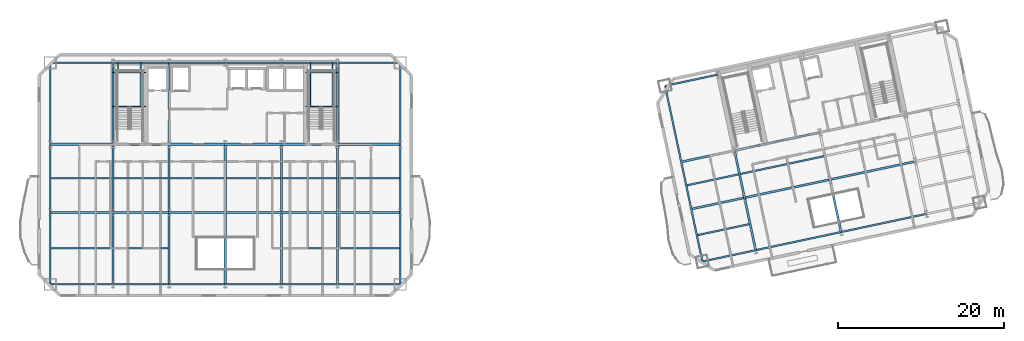
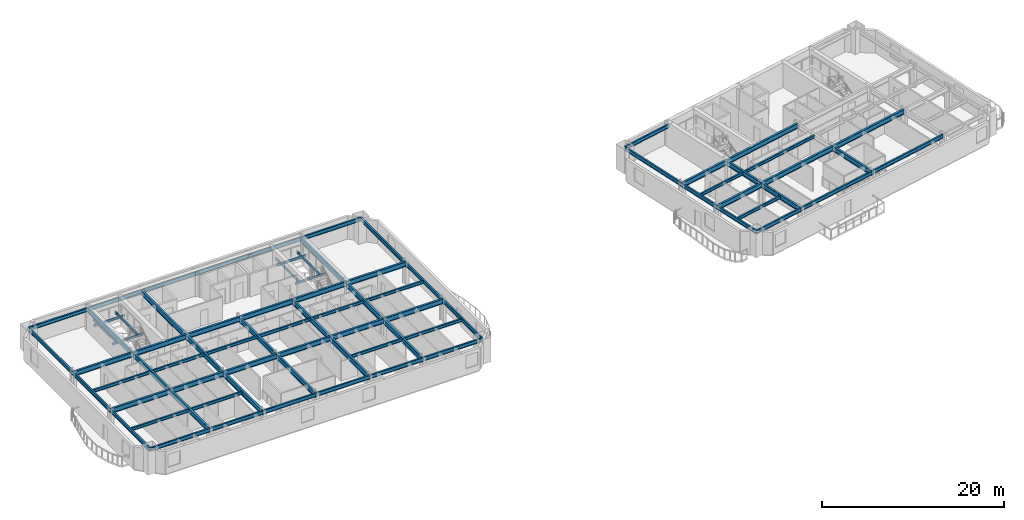
# One storey, part 3 of 14: 79 beams.
"""IFC4 building model written with IfcOpenShell, lengths in metres."""

from ifc_helpers import new_model, si_unit, direction, frame, origin, origin_2d, place, context, subcontext, project, spatial, i_section, extrude, material, material_profile, profile_set, type_object, element, save


model = new_model("IFC4")

# Units and contexts
model_context = context("Model", 3, precision=1e-05, world=origin(), true_north=direction((0.0, 1.0)))
body_context = subcontext(model_context, "Body", "Model", "MODEL_VIEW")
ifc_project = project(units=[si_unit("LENGTHUNIT", "METRE"), si_unit("AREAUNIT", "SQUARE_METRE"), si_unit("VOLUMEUNIT", "CUBIC_METRE"), si_unit("PLANEANGLEUNIT", "RADIAN"), si_unit("MASSUNIT", "GRAM", prefix="KILO")], contexts=[model_context])

# Site, building, storey
site_placement = place(None, origin())
site = spatial("IfcSite", under=ifc_project, at=site_placement, CompositionType="ELEMENT")
building_placement = place(site_placement, origin())
building = spatial("IfcBuilding", under=site, at=building_placement, Name="Haevon Station Towers", CompositionType="ELEMENT")
storey_placement = place(building_placement, frame((0.0, 0.0, 116.39990234375)))
storey = spatial("IfcBuildingStorey", under=building, at=storey_placement, Name="L31", CompositionType="ELEMENT", Elevation=116.39990234375)

# Beams
ifc_material = material(Name="Steel S355", Category="steel")
ifc_material_profile_1 = material_profile(ifc_material, i_section(OverallWidth=0.25, OverallDepth=0.64990234375, WebThickness=0.012939453125, FlangeThickness=0.02197265625, at=origin_2d()), Name="H-650x250x13x22")
ifc_profile_set_1 = profile_set([ifc_material_profile_1], Name="Steel S355")
beam_type_1 = type_object("IfcBeamType", Name="BM-G650", PredefinedType="BEAM", material=ifc_profile_set_1)
beam_1_placement = place(storey_placement, frame((16.449951171875, 30.0, 2.72509765625), z_axis=(1.0, 0.0, 0.0), x_axis=(0.0, 1.0, 0.0)))
element("IfcBeam", 1, at=beam_1_placement, inside=storey, type_object=beam_type_1, Name="BM-T1U-L31-02-01", PredefinedType="BEAM", context=body_context, shape_type="SweptSolid", body=[
    extrude(i_section(OverallWidth=0.25, OverallDepth=0.64990234375, WebThickness=0.012939453125, FlangeThickness=0.02197265625, at=origin_2d()), origin(), (0.0, 0.0, 1.0), 7.550048828125),
])
for number, where, z_axis, x_axis, name in (
    (2, (24.0, 30.0, 2.72509765625), (1.0, 0.0, 0.0), (0.0, 1.0, 0.0), "BM-T1U-L31-02-02"),
    (3, (30.75, 30.0, 2.72509765625), (1.0, 0.0, 0.0), (0.0, 1.0, 0.0), "BM-T1U-L31-02-03"),
    (4, (37.5, 30.0, 2.72509765625), (1.0, 0.0, 0.0), (0.0, 1.0, 0.0), "BM-T1U-L31-02-04"),
    (5, (44.25, 30.0, 2.72509765625), (1.0, 0.0, 0.0), (0.0, 1.0, 0.0), "BM-T1U-L31-02-05"),
):
    element("IfcBeam", number, at=place(storey_placement, frame(where, z_axis=z_axis, x_axis=x_axis)), inside=storey, type_object=beam_type_1, Name=name, PredefinedType="BEAM", context=body_context, shape_type="SweptSolid", body=[
        extrude(i_section(OverallWidth=0.25, OverallDepth=0.64990234375, WebThickness=0.012939453125, FlangeThickness=0.02197265625, at=origin_2d()), origin(), (0.0, 0.0, 1.0), 6.75),
    ])
for number, where, z_axis, x_axis, name in (
    (6, (51.0, 30.0, 2.72509765625), (1.0, 0.0, 0.0), (0.0, 1.0, 0.0), "BM-T1U-L31-02-06"),
    (7, (16.449951171875, 38.199951171875, 2.72509765625), (1.0, 0.0, 0.0), (0.0, 1.0, 0.0), "BM-T1U-L31-03-01"),
):
    element("IfcBeam", number, at=place(storey_placement, frame(where, z_axis=z_axis, x_axis=x_axis)), inside=storey, type_object=beam_type_1, Name=name, PredefinedType="BEAM", context=body_context, shape_type="SweptSolid", body=[
        extrude(i_section(OverallWidth=0.25, OverallDepth=0.64990234375, WebThickness=0.012939453125, FlangeThickness=0.02197265625, at=origin_2d()), origin(), (0.0, 0.0, 1.0), 7.550048828125),
    ])
for number, where, z_axis, x_axis, name in (
    (8, (24.0, 38.199951171875, 2.72509765625), (1.0, 0.0, 0.0), (0.0, 1.0, 0.0), "BM-T1U-L31-03-02"),
    (9, (30.75, 38.199951171875, 2.72509765625), (1.0, 0.0, 0.0), (0.0, 1.0, 0.0), "BM-T1U-L31-03-03"),
    (10, (37.5, 38.199951171875, 2.72509765625), (1.0, 0.0, 0.0), (0.0, 1.0, 0.0), "BM-T1U-L31-03-04"),
    (11, (44.25, 38.199951171875, 2.72509765625), (1.0, 0.0, 0.0), (0.0, 1.0, 0.0), "BM-T1U-L31-03-05"),
):
    element("IfcBeam", number, at=place(storey_placement, frame(where, z_axis=z_axis, x_axis=x_axis)), inside=storey, type_object=beam_type_1, Name=name, PredefinedType="BEAM", context=body_context, shape_type="SweptSolid", body=[
        extrude(i_section(OverallWidth=0.25, OverallDepth=0.64990234375, WebThickness=0.012939453125, FlangeThickness=0.02197265625, at=origin_2d()), origin(), (0.0, 0.0, 1.0), 6.75),
    ])
beam_2_placement = place(storey_placement, frame((51.0, 38.199951171875, 2.72509765625), z_axis=(1.0, 0.0, 0.0), x_axis=(0.0, 1.0, 0.0)))
element("IfcBeam", 12, at=beam_2_placement, inside=storey, type_object=beam_type_1, Name="BM-T1U-L31-03-06", PredefinedType="BEAM", context=body_context, shape_type="SweptSolid", body=[
    extrude(i_section(OverallWidth=0.25, OverallDepth=0.64990234375, WebThickness=0.012939453125, FlangeThickness=0.02197265625, at=origin_2d()), origin(), (0.0, 0.0, 1.0), 7.550048828125),
])
beam_3_placement = place(storey_placement, frame((24.0, 21.35009765625, 2.72509765625), z_axis=(0.0, 1.0, 0.0), x_axis=(-1.0, 0.0, 0.0)))
element("IfcBeam", 13, at=beam_3_placement, inside=storey, type_object=beam_type_1, Name="BM-T1V-L31-02-01", PredefinedType="BEAM", context=body_context, shape_type="SweptSolid", body=[
    extrude(i_section(OverallWidth=0.25, OverallDepth=0.64990234375, WebThickness=0.012939453125, FlangeThickness=0.02197265625, at=origin_2d()), origin(), (0.0, 0.0, 1.0), 8.64990234375),
])
beam_4_placement = place(storey_placement, frame((24.0, 30.0, 2.72509765625), z_axis=(0.0, 1.0, 0.0), x_axis=(-1.0, 0.0, 0.0)))
element("IfcBeam", 14, at=beam_4_placement, inside=storey, type_object=beam_type_1, Name="BM-T1V-L31-02-02", PredefinedType="BEAM", context=body_context, shape_type="SweptSolid", body=[
    extrude(i_section(OverallWidth=0.25, OverallDepth=0.64990234375, WebThickness=0.012939453125, FlangeThickness=0.02197265625, at=origin_2d()), origin(), (0.0, 0.0, 1.0), 8.199951171875),
])
beam_5_placement = place(storey_placement, frame((24.0, 38.199951171875, 2.72509765625), z_axis=(0.0, 1.0, 0.0), x_axis=(-1.0, 0.0, 0.0)))
element("IfcBeam", 15, at=beam_5_placement, inside=storey, type_object=beam_type_1, Name="BM-T1V-L31-02-03", PredefinedType="BEAM", context=body_context, shape_type="SweptSolid", body=[
    extrude(i_section(OverallWidth=0.25, OverallDepth=0.64990234375, WebThickness=0.012939453125, FlangeThickness=0.02197265625, at=origin_2d()), origin(), (0.0, 0.0, 1.0), 9.800048828125),
])
beam_6_placement = place(storey_placement, frame((30.75, 21.35009765625, 2.72509765625), z_axis=(0.0, 1.0, 0.0), x_axis=(-1.0, 0.0, 0.0)))
element("IfcBeam", 16, at=beam_6_placement, inside=storey, type_object=beam_type_1, Name="BM-T1V-L31-03-01", PredefinedType="BEAM", context=body_context, shape_type="SweptSolid", body=[
    extrude(i_section(OverallWidth=0.25, OverallDepth=0.64990234375, WebThickness=0.012939453125, FlangeThickness=0.02197265625, at=origin_2d()), origin(), (0.0, 0.0, 1.0), 8.64990234375),
])
beam_7_placement = place(storey_placement, frame((30.75, 30.0, 2.72509765625), z_axis=(0.0, 1.0, 0.0), x_axis=(-1.0, 0.0, 0.0)))
element("IfcBeam", 17, at=beam_7_placement, inside=storey, type_object=beam_type_1, Name="BM-T1V-L31-03-02", PredefinedType="BEAM", context=body_context, shape_type="SweptSolid", body=[
    extrude(i_section(OverallWidth=0.25, OverallDepth=0.64990234375, WebThickness=0.012939453125, FlangeThickness=0.02197265625, at=origin_2d()), origin(), (0.0, 0.0, 1.0), 8.199951171875),
])
beam_8_placement = place(storey_placement, frame((30.75, 38.199951171875, 2.72509765625), z_axis=(0.0, 1.0, 0.0), x_axis=(-1.0, 0.0, 0.0)))
element("IfcBeam", 18, at=beam_8_placement, inside=storey, type_object=beam_type_1, Name="BM-T1V-L31-03-03", PredefinedType="BEAM", context=body_context, shape_type="SweptSolid", body=[
    extrude(i_section(OverallWidth=0.25, OverallDepth=0.64990234375, WebThickness=0.012939453125, FlangeThickness=0.02197265625, at=origin_2d()), origin(), (0.0, 0.0, 1.0), 9.800048828125),
])
beam_9_placement = place(storey_placement, frame((37.5, 21.35009765625, 2.72509765625), z_axis=(0.0, 1.0, 0.0), x_axis=(-1.0, 0.0, 0.0)))
element("IfcBeam", 19, at=beam_9_placement, inside=storey, type_object=beam_type_1, Name="BM-T1V-L31-04-01", PredefinedType="BEAM", context=body_context, shape_type="SweptSolid", body=[
    extrude(i_section(OverallWidth=0.25, OverallDepth=0.64990234375, WebThickness=0.012939453125, FlangeThickness=0.02197265625, at=origin_2d()), origin(), (0.0, 0.0, 1.0), 8.64990234375),
])
beam_10_placement = place(storey_placement, frame((37.5, 30.0, 2.72509765625), z_axis=(0.0, 1.0, 0.0), x_axis=(-1.0, 0.0, 0.0)))
element("IfcBeam", 20, at=beam_10_placement, inside=storey, type_object=beam_type_1, Name="BM-T1V-L31-04-02", PredefinedType="BEAM", context=body_context, shape_type="SweptSolid", body=[
    extrude(i_section(OverallWidth=0.25, OverallDepth=0.64990234375, WebThickness=0.012939453125, FlangeThickness=0.02197265625, at=origin_2d()), origin(), (0.0, 0.0, 1.0), 8.199951171875),
])
beam_11_placement = place(storey_placement, frame((44.25, 21.35009765625, 2.72509765625), z_axis=(0.0, 1.0, 0.0), x_axis=(-1.0, 0.0, 0.0)))
element("IfcBeam", 21, at=beam_11_placement, inside=storey, type_object=beam_type_1, Name="BM-T1V-L31-05-01", PredefinedType="BEAM", context=body_context, shape_type="SweptSolid", body=[
    extrude(i_section(OverallWidth=0.25, OverallDepth=0.64990234375, WebThickness=0.012939453125, FlangeThickness=0.02197265625, at=origin_2d()), origin(), (0.0, 0.0, 1.0), 8.64990234375),
])
beam_12_placement = place(storey_placement, frame((44.25, 30.0, 2.72509765625), z_axis=(0.0, 1.0, 0.0), x_axis=(-1.0, 0.0, 0.0)))
element("IfcBeam", 22, at=beam_12_placement, inside=storey, type_object=beam_type_1, Name="BM-T1V-L31-05-02", PredefinedType="BEAM", context=body_context, shape_type="SweptSolid", body=[
    extrude(i_section(OverallWidth=0.25, OverallDepth=0.64990234375, WebThickness=0.012939453125, FlangeThickness=0.02197265625, at=origin_2d()), origin(), (0.0, 0.0, 1.0), 8.199951171875),
])
beam_13_placement = place(storey_placement, frame((51.0, 21.35009765625, 2.72509765625), z_axis=(0.0, 1.0, 0.0), x_axis=(-1.0, 0.0, 0.0)))
element("IfcBeam", 23, at=beam_13_placement, inside=storey, type_object=beam_type_1, Name="BM-T1V-L31-06-01", PredefinedType="BEAM", context=body_context, shape_type="SweptSolid", body=[
    extrude(i_section(OverallWidth=0.25, OverallDepth=0.64990234375, WebThickness=0.012939453125, FlangeThickness=0.02197265625, at=origin_2d()), origin(), (0.0, 0.0, 1.0), 8.64990234375),
])
beam_14_placement = place(storey_placement, frame((51.0, 30.0, 2.72509765625), z_axis=(0.0, 1.0, 0.0), x_axis=(-1.0, 0.0, 0.0)))
element("IfcBeam", 24, at=beam_14_placement, inside=storey, type_object=beam_type_1, Name="BM-T1V-L31-06-02", PredefinedType="BEAM", context=body_context, shape_type="SweptSolid", body=[
    extrude(i_section(OverallWidth=0.25, OverallDepth=0.64990234375, WebThickness=0.012939453125, FlangeThickness=0.02197265625, at=origin_2d()), origin(), (0.0, 0.0, 1.0), 8.199951171875),
])
beam_15_placement = place(storey_placement, frame((51.0, 38.199951171875, 2.72509765625), z_axis=(0.0, 1.0, 0.0), x_axis=(-1.0, 0.0, 0.0)))
element("IfcBeam", 25, at=beam_15_placement, inside=storey, type_object=beam_type_1, Name="BM-T1V-L31-06-03", PredefinedType="BEAM", context=body_context, shape_type="SweptSolid", body=[
    extrude(i_section(OverallWidth=0.25, OverallDepth=0.64990234375, WebThickness=0.012939453125, FlangeThickness=0.02197265625, at=origin_2d()), origin(), (0.0, 0.0, 1.0), 9.800048828125),
])
beam_16_placement = place(storey_placement, frame((93.55126953125, 30.4072265625, 2.72509765625), z_axis=(0.978148524343, 0.207907345532, 0.0), x_axis=(-0.207907345532, 0.978148524343, 0.0)))
element("IfcBeam", 26, at=beam_16_placement, inside=storey, type_object=beam_type_1, Name="BM-T2U-L31-02-01", PredefinedType="BEAM", context=body_context, shape_type="SweptSolid", body=[
    extrude(i_section(OverallWidth=0.25, OverallDepth=0.64990234375, WebThickness=0.012939453125, FlangeThickness=0.02197265625, at=origin_2d()), origin(), (0.0, 0.0, 1.0), 6.550048828125),
])
for number, where, z_axis, x_axis, name in (
    (27, (99.958251953125, 31.76904296875, 2.72509765625), (0.978146794194, 0.207915485254, 0.0), (-0.207915485254, 0.978146794194, 0.0), "BM-T2U-L31-02-02"),
    (28, (110.228759765625, 33.9521484375, 2.72509765625), (0.978146794194, 0.207915485254, 0.0), (-0.207915485254, 0.978146794194, 0.0), "BM-T2U-L31-02-03"),
):
    element("IfcBeam", number, at=place(storey_placement, frame(where, z_axis=z_axis, x_axis=x_axis)), inside=storey, type_object=beam_type_1, Name=name, PredefinedType="BEAM", context=body_context, shape_type="SweptSolid", body=[
        extrude(i_section(OverallWidth=0.25, OverallDepth=0.64990234375, WebThickness=0.012939453125, FlangeThickness=0.02197265625, at=origin_2d()), origin(), (0.0, 0.0, 1.0), 10.5),
    ])
beam_17_placement = place(storey_placement, frame((92.345458984375, 36.08056640625, 2.72509765625), z_axis=(0.978148524343, 0.207907345532, 0.0), x_axis=(-0.207907345532, 0.978148524343, 0.0)))
element("IfcBeam", 29, at=beam_17_placement, inside=storey, type_object=beam_type_1, Name="BM-T2U-L31-03-01", PredefinedType="BEAM", context=body_context, shape_type="SweptSolid", body=[
    extrude(i_section(OverallWidth=0.25, OverallDepth=0.64990234375, WebThickness=0.012939453125, FlangeThickness=0.02197265625, at=origin_2d()), origin(), (0.0, 0.0, 1.0), 6.550048828125),
])
beam_18_placement = place(storey_placement, frame((98.75244140625, 37.4423828125, 2.72509765625), z_axis=(0.978146794194, 0.207915485254, 0.0), x_axis=(-0.207915485254, 0.978146794194, 0.0)))
element("IfcBeam", 30, at=beam_18_placement, inside=storey, type_object=beam_type_1, Name="BM-T2U-L31-03-02", PredefinedType="BEAM", context=body_context, shape_type="SweptSolid", body=[
    extrude(i_section(OverallWidth=0.25, OverallDepth=0.64990234375, WebThickness=0.012939453125, FlangeThickness=0.02197265625, at=origin_2d()), origin(), (0.0, 0.0, 1.0), 10.5),
])
beam_19_placement = place(storey_placement, frame((101.29931640625, 25.460205078125, 2.72509765625), z_axis=(-0.207923493292, 0.978145091966, 0.0), x_axis=(-0.978145091966, -0.207923493292, 0.0)))
element("IfcBeam", 31, at=beam_19_placement, inside=storey, type_object=beam_type_1, Name="BM-T2V-L31-02-01", PredefinedType="BEAM", context=body_context, shape_type="SweptSolid", body=[
    extrude(i_section(OverallWidth=0.25, OverallDepth=0.64990234375, WebThickness=0.012939453125, FlangeThickness=0.02197265625, at=origin_2d()), origin(), (0.0, 0.0, 1.0), 6.44970703125),
])
beam_20_placement = place(storey_placement, frame((99.958251953125, 31.76904296875, 2.72509765625), z_axis=(-0.207896009217, 0.97815093383, 0.0), x_axis=(-0.97815093383, -0.207896009217, 0.0)))
element("IfcBeam", 32, at=beam_20_placement, inside=storey, type_object=beam_type_1, Name="BM-T2V-L31-02-02", PredefinedType="BEAM", context=body_context, shape_type="SweptSolid", body=[
    extrude(i_section(OverallWidth=0.25, OverallDepth=0.64990234375, WebThickness=0.012939453125, FlangeThickness=0.02197265625, at=origin_2d()), origin(), (0.0, 0.0, 1.0), 5.800048828125),
])
beam_21_placement = place(storey_placement, frame((111.56982421875, 27.64306640625, 2.72509765625), z_axis=(-0.207915795165, 0.978146728319, 0.0), x_axis=(-0.978146728319, -0.207915795165, 0.0)))
element("IfcBeam", 33, at=beam_21_placement, inside=storey, type_object=beam_type_1, Name="BM-T2V-L31-03-01", PredefinedType="BEAM", context=body_context, shape_type="SweptSolid", body=[
    extrude(i_section(OverallWidth=0.25, OverallDepth=0.64990234375, WebThickness=0.012939453125, FlangeThickness=0.02197265625, at=origin_2d()), origin(), (0.0, 0.0, 1.0), 6.449951171875),
])
ifc_material_profile_2 = material_profile(ifc_material, i_section(OverallWidth=0.199951171875, OverallDepth=0.39990234375, WebThickness=0.008056640625, FlangeThickness=0.012939453125, at=origin_2d()), Name="H-400x200x8x13")
ifc_profile_set_2 = profile_set([ifc_material_profile_2], Name="Steel S355")
beam_type_2 = type_object("IfcBeamType", Name="BM-J400", PredefinedType="JOIST", material=ifc_profile_set_2)
beam_22_placement = place(storey_placement, frame((16.56005859375, 25.675048828125, 2.85009765625), z_axis=(1.0, 0.0, 0.0), x_axis=(0.0, 1.0, 0.0)))
element("IfcBeam", 34, at=beam_22_placement, inside=storey, type_object=beam_type_2, Name="BM-T1J-L31-01-01", PredefinedType="JOIST", context=body_context, shape_type="SweptSolid", body=[
    extrude(i_section(OverallWidth=0.199951171875, OverallDepth=0.39990234375, WebThickness=0.008056640625, FlangeThickness=0.012939453125, at=origin_2d()), origin(), (0.0, 0.0, 1.0), 7.329833984375),
])
for number, where, z_axis, x_axis, name in (
    (35, (24.110107421875, 25.675048828125, 2.85009765625), (1.0, 0.0, 0.0), (0.0, 1.0, 0.0), "BM-T1J-L31-01-02"),
    (36, (44.360107421875, 25.675048828125, 2.85009765625), (1.0, 0.0, 0.0), (0.0, 1.0, 0.0), "BM-T1J-L31-01-05"),
):
    element("IfcBeam", number, at=place(storey_placement, frame(where, z_axis=z_axis, x_axis=x_axis)), inside=storey, type_object=beam_type_2, Name=name, PredefinedType="JOIST", context=body_context, shape_type="SweptSolid", body=[
        extrude(i_section(OverallWidth=0.199951171875, OverallDepth=0.39990234375, WebThickness=0.008056640625, FlangeThickness=0.012939453125, at=origin_2d()), origin(), (0.0, 0.0, 1.0), 6.52978515625),
    ])
for number, where, z_axis, x_axis, name in (
    (37, (51.110107421875, 25.675048828125, 2.85009765625), (1.0, 0.0, 0.0), (0.0, 1.0, 0.0), "BM-T1J-L31-01-06"),
    (38, (16.56005859375, 34.10009765625, 2.85009765625), (1.0, 0.0, 0.0), (0.0, 1.0, 0.0), "BM-T1J-L31-02-01"),
):
    element("IfcBeam", number, at=place(storey_placement, frame(where, z_axis=z_axis, x_axis=x_axis)), inside=storey, type_object=beam_type_2, Name=name, PredefinedType="JOIST", context=body_context, shape_type="SweptSolid", body=[
        extrude(i_section(OverallWidth=0.199951171875, OverallDepth=0.39990234375, WebThickness=0.008056640625, FlangeThickness=0.012939453125, at=origin_2d()), origin(), (0.0, 0.0, 1.0), 7.329833984375),
    ])
for number, where, z_axis, x_axis, name in (
    (39, (24.110107421875, 34.10009765625, 2.85009765625), (1.0, 0.0, 0.0), (0.0, 1.0, 0.0), "BM-T1J-L31-02-02"),
    (40, (30.860107421875, 34.10009765625, 2.85009765625), (1.0, 0.0, 0.0), (0.0, 1.0, 0.0), "BM-T1J-L31-02-03"),
    (41, (37.610107421875, 34.10009765625, 2.85009765625), (1.0, 0.0, 0.0), (0.0, 1.0, 0.0), "BM-T1J-L31-02-04"),
    (42, (44.360107421875, 34.10009765625, 2.85009765625), (1.0, 0.0, 0.0), (0.0, 1.0, 0.0), "BM-T1J-L31-02-05"),
):
    element("IfcBeam", number, at=place(storey_placement, frame(where, z_axis=z_axis, x_axis=x_axis)), inside=storey, type_object=beam_type_2, Name=name, PredefinedType="JOIST", context=body_context, shape_type="SweptSolid", body=[
        extrude(i_section(OverallWidth=0.199951171875, OverallDepth=0.39990234375, WebThickness=0.008056640625, FlangeThickness=0.012939453125, at=origin_2d()), origin(), (0.0, 0.0, 1.0), 6.52978515625),
    ])
beam_23_placement = place(storey_placement, frame((51.110107421875, 34.10009765625, 2.85009765625), z_axis=(1.0, 0.0, 0.0), x_axis=(0.0, 1.0, 0.0)))
element("IfcBeam", 43, at=beam_23_placement, inside=storey, type_object=beam_type_2, Name="BM-T1J-L31-02-06", PredefinedType="JOIST", context=body_context, shape_type="SweptSolid", body=[
    extrude(i_section(OverallWidth=0.199951171875, OverallDepth=0.39990234375, WebThickness=0.008056640625, FlangeThickness=0.012939453125, at=origin_2d()), origin(), (0.0, 0.0, 1.0), 7.329833984375),
])
beam_24_placement = place(storey_placement, frame((94.32958984375, 27.275634765625, 2.85009765625), z_axis=(0.978144831517, 0.207924718533, 0.0), x_axis=(-0.207924718533, 0.978144831517, 0.0)))
element("IfcBeam", 44, at=beam_24_placement, inside=storey, type_object=beam_type_2, Name="BM-T2J-L31-01-01", PredefinedType="JOIST", context=body_context, shape_type="SweptSolid", body=[
    extrude(i_section(OverallWidth=0.199951171875, OverallDepth=0.39990234375, WebThickness=0.008056640625, FlangeThickness=0.012939453125, at=origin_2d()), origin(), (0.0, 0.0, 1.0), 6.330078125),
])
beam_25_placement = place(storey_placement, frame((93.055908203125, 33.266845703125, 2.85009765625), z_axis=(0.978146498858, 0.207916874669, 0.0), x_axis=(-0.207916874669, 0.978146498858, 0.0)))
element("IfcBeam", 45, at=beam_25_placement, inside=storey, type_object=beam_type_2, Name="BM-T2J-L31-02-01", PredefinedType="JOIST", context=body_context, shape_type="SweptSolid", body=[
    extrude(i_section(OverallWidth=0.199951171875, OverallDepth=0.39990234375, WebThickness=0.008056640625, FlangeThickness=0.012939453125, at=origin_2d()), origin(), (0.0, 0.0, 1.0), 6.330322265625),
])
beam_26_placement = place(storey_placement, frame((99.462890625, 34.628662109375, 2.85009765625), z_axis=(0.978150339653, 0.207898804801, 0.0), x_axis=(-0.207898804801, 0.978150339653, 0.0)))
element("IfcBeam", 46, at=beam_26_placement, inside=storey, type_object=beam_type_2, Name="BM-T2J-L31-02-02", PredefinedType="JOIST", context=body_context, shape_type="SweptSolid", body=[
    extrude(i_section(OverallWidth=0.199951171875, OverallDepth=0.39990234375, WebThickness=0.008056640625, FlangeThickness=0.012939453125, at=origin_2d()), origin(), (0.0, 0.0, 1.0), 10.280029296875),
])
ifc_material_profile_3 = material_profile(ifc_material, i_section(OverallWidth=0.14990234375, OverallDepth=0.300048828125, WebThickness=0.006591796875, FlangeThickness=0.009033203125, at=origin_2d()), Name="H-300x150x6.5x9")
ifc_profile_set_3 = profile_set([ifc_material_profile_3], Name="Steel S355")
beam_type_3 = type_object("IfcBeamType", Name="BM-LIN300", PredefinedType="LINTEL", material=ifc_profile_set_3)
for number, where, z_axis, x_axis, name in (
    (47, (24.0, 42.743896484375, 1.300048828125), (1.0, 0.0, 0.0), (0.0, 1.0, 0.0), "BM-ST1L-L31-1-S"),
    (48, (24.0, 46.820068359375, 1.300048828125), (1.0, 0.0, 0.0), (0.0, 1.0, 0.0), "BM-ST1L-L31-1-N"),
):
    element("IfcBeam", number, at=place(storey_placement, frame(where, z_axis=z_axis, x_axis=x_axis)), inside=storey, type_object=beam_type_3, Name=name, PredefinedType="LINTEL", context=body_context, shape_type="SweptSolid", body=[
        extrude(i_section(OverallWidth=0.14990234375, OverallDepth=0.300048828125, WebThickness=0.006591796875, FlangeThickness=0.009033203125, at=origin_2d()), origin(), (0.0, 0.0, 1.0), 3.949951171875),
    ])
for number, where, z_axis, x_axis, name in (
    (49, (24.60009765625, 42.743896484375, 1.300048828125), (0.0, 1.0, 0.0), (-1.0, 0.0, 0.0), "BM-ST1L-L31-1-W"),
    (50, (27.35009765625, 42.743896484375, 1.300048828125), (0.0, 1.0, 0.0), (-1.0, 0.0, 0.0), "BM-ST1L-L31-1-E"),
):
    element("IfcBeam", number, at=place(storey_placement, frame(where, z_axis=z_axis, x_axis=x_axis)), inside=storey, type_object=beam_type_3, Name=name, PredefinedType="LINTEL", context=body_context, shape_type="SweptSolid", body=[
        extrude(i_section(OverallWidth=0.14990234375, OverallDepth=0.300048828125, WebThickness=0.006591796875, FlangeThickness=0.009033203125, at=origin_2d()), origin(), (0.0, 0.0, 1.0), 5.256103515625),
    ])
for number, where, z_axis, x_axis, name in (
    (51, (47.14990234375, 42.743896484375, 1.300048828125), (1.0, 0.0, 0.0), (0.0, 1.0, 0.0), "BM-ST2L-L31-1-S"),
    (52, (47.14990234375, 46.820068359375, 1.300048828125), (1.0, 0.0, 0.0), (0.0, 1.0, 0.0), "BM-ST2L-L31-1-N"),
):
    element("IfcBeam", number, at=place(storey_placement, frame(where, z_axis=z_axis, x_axis=x_axis)), inside=storey, type_object=beam_type_3, Name=name, PredefinedType="LINTEL", context=body_context, shape_type="SweptSolid", body=[
        extrude(i_section(OverallWidth=0.14990234375, OverallDepth=0.300048828125, WebThickness=0.006591796875, FlangeThickness=0.009033203125, at=origin_2d()), origin(), (0.0, 0.0, 1.0), 3.85009765625),
    ])
for number, where, z_axis, x_axis, name in (
    (53, (47.75, 42.743896484375, 1.300048828125), (0.0, 1.0, 0.0), (-1.0, 0.0, 0.0), "BM-ST2L-L31-1-W"),
    (54, (50.39990234375, 42.743896484375, 1.300048828125), (0.0, 1.0, 0.0), (-1.0, 0.0, 0.0), "BM-ST2L-L31-1-E"),
):
    element("IfcBeam", number, at=place(storey_placement, frame(where, z_axis=z_axis, x_axis=x_axis)), inside=storey, type_object=beam_type_3, Name=name, PredefinedType="LINTEL", context=body_context, shape_type="SweptSolid", body=[
        extrude(i_section(OverallWidth=0.14990234375, OverallDepth=0.300048828125, WebThickness=0.006591796875, FlangeThickness=0.009033203125, at=origin_2d()), origin(), (0.0, 0.0, 1.0), 5.256103515625),
    ])
ifc_material_profile_4 = material_profile(ifc_material, i_section(OverallWidth=0.199951171875, OverallDepth=0.5, WebThickness=0.010009765625, FlangeThickness=0.01611328125, at=origin_2d()), Name="H-500x200x10x16")
ifc_profile_set_4 = profile_set([ifc_material_profile_4], Name="Steel S355")
beam_type_4 = type_object("IfcBeamType", Name="BM-SP500", PredefinedType="SPANDREL", material=ifc_profile_set_4)
beam_27_placement = place(storey_placement, frame((16.449951171875, 21.35009765625, 2.800048828125), z_axis=(1.0, 0.0, 0.0), x_axis=(0.0, 1.0, 0.0)))
element("IfcBeam", 55, at=beam_27_placement, inside=storey, type_object=beam_type_4, Name="BM-T1U-L31-01-01", PredefinedType="SPANDREL", context=body_context, shape_type="SweptSolid", body=[
    extrude(i_section(OverallWidth=0.199951171875, OverallDepth=0.5, WebThickness=0.010009765625, FlangeThickness=0.01611328125, at=origin_2d()), origin(), (0.0, 0.0, 1.0), 7.550048828125),
])
for number, where, z_axis, x_axis, name in (
    (56, (24.0, 21.35009765625, 2.800048828125), (1.0, 0.0, 0.0), (0.0, 1.0, 0.0), "BM-T1U-L31-01-02"),
    (57, (30.75, 21.35009765625, 2.800048828125), (1.0, 0.0, 0.0), (0.0, 1.0, 0.0), "BM-T1U-L31-01-03"),
    (58, (37.5, 21.35009765625, 2.800048828125), (1.0, 0.0, 0.0), (0.0, 1.0, 0.0), "BM-T1U-L31-01-04"),
    (59, (44.25, 21.35009765625, 2.800048828125), (1.0, 0.0, 0.0), (0.0, 1.0, 0.0), "BM-T1U-L31-01-05"),
):
    element("IfcBeam", number, at=place(storey_placement, frame(where, z_axis=z_axis, x_axis=x_axis)), inside=storey, type_object=beam_type_4, Name=name, PredefinedType="SPANDREL", context=body_context, shape_type="SweptSolid", body=[
        extrude(i_section(OverallWidth=0.199951171875, OverallDepth=0.5, WebThickness=0.010009765625, FlangeThickness=0.01611328125, at=origin_2d()), origin(), (0.0, 0.0, 1.0), 6.75),
    ])
for number, where, z_axis, x_axis, name in (
    (60, (51.0, 21.35009765625, 2.800048828125), (1.0, 0.0, 0.0), (0.0, 1.0, 0.0), "BM-T1U-L31-01-06"),
    (61, (16.449951171875, 48.0, 2.800048828125), (1.0, 0.0, 0.0), (0.0, 1.0, 0.0), "BM-T1U-L31-04-01"),
):
    element("IfcBeam", number, at=place(storey_placement, frame(where, z_axis=z_axis, x_axis=x_axis)), inside=storey, type_object=beam_type_4, Name=name, PredefinedType="SPANDREL", context=body_context, shape_type="SweptSolid", body=[
        extrude(i_section(OverallWidth=0.199951171875, OverallDepth=0.5, WebThickness=0.010009765625, FlangeThickness=0.01611328125, at=origin_2d()), origin(), (0.0, 0.0, 1.0), 7.550048828125),
    ])
for number, where, z_axis, x_axis, name in (
    (62, (24.0, 48.0, 2.800048828125), (1.0, 0.0, 0.0), (0.0, 1.0, 0.0), "BM-T1U-L31-04-02"),
    (63, (30.75, 48.0, 2.800048828125), (1.0, 0.0, 0.0), (0.0, 1.0, 0.0), "BM-T1U-L31-04-03"),
    (64, (37.5, 48.0, 2.800048828125), (1.0, 0.0, 0.0), (0.0, 1.0, 0.0), "BM-T1U-L31-04-04"),
    (65, (44.25, 48.0, 2.800048828125), (1.0, 0.0, 0.0), (0.0, 1.0, 0.0), "BM-T1U-L31-04-05"),
):
    element("IfcBeam", number, at=place(storey_placement, frame(where, z_axis=z_axis, x_axis=x_axis)), inside=storey, type_object=beam_type_4, Name=name, PredefinedType="SPANDREL", context=body_context, shape_type="SweptSolid", body=[
        extrude(i_section(OverallWidth=0.199951171875, OverallDepth=0.5, WebThickness=0.010009765625, FlangeThickness=0.01611328125, at=origin_2d()), origin(), (0.0, 0.0, 1.0), 6.75),
    ])
beam_28_placement = place(storey_placement, frame((51.0, 48.0, 2.800048828125), z_axis=(1.0, 0.0, 0.0), x_axis=(0.0, 1.0, 0.0)))
element("IfcBeam", 66, at=beam_28_placement, inside=storey, type_object=beam_type_4, Name="BM-T1U-L31-04-06", PredefinedType="SPANDREL", context=body_context, shape_type="SweptSolid", body=[
    extrude(i_section(OverallWidth=0.199951171875, OverallDepth=0.5, WebThickness=0.010009765625, FlangeThickness=0.01611328125, at=origin_2d()), origin(), (0.0, 0.0, 1.0), 7.550048828125),
])
beam_29_placement = place(storey_placement, frame((16.449951171875, 21.35009765625, 2.800048828125), z_axis=(0.0, 1.0, 0.0), x_axis=(-1.0, 0.0, 0.0)))
element("IfcBeam", 67, at=beam_29_placement, inside=storey, type_object=beam_type_4, Name="BM-T1V-L31-01-01", PredefinedType="SPANDREL", context=body_context, shape_type="SweptSolid", body=[
    extrude(i_section(OverallWidth=0.199951171875, OverallDepth=0.5, WebThickness=0.010009765625, FlangeThickness=0.01611328125, at=origin_2d()), origin(), (0.0, 0.0, 1.0), 8.64990234375),
])
beam_30_placement = place(storey_placement, frame((16.449951171875, 30.0, 2.800048828125), z_axis=(0.0, 1.0, 0.0), x_axis=(-1.0, 0.0, 0.0)))
element("IfcBeam", 68, at=beam_30_placement, inside=storey, type_object=beam_type_4, Name="BM-T1V-L31-01-02", PredefinedType="SPANDREL", context=body_context, shape_type="SweptSolid", body=[
    extrude(i_section(OverallWidth=0.199951171875, OverallDepth=0.5, WebThickness=0.010009765625, FlangeThickness=0.01611328125, at=origin_2d()), origin(), (0.0, 0.0, 1.0), 8.199951171875),
])
beam_31_placement = place(storey_placement, frame((16.449951171875, 38.199951171875, 2.800048828125), z_axis=(0.0, 1.0, 0.0), x_axis=(-1.0, 0.0, 0.0)))
element("IfcBeam", 69, at=beam_31_placement, inside=storey, type_object=beam_type_4, Name="BM-T1V-L31-01-03", PredefinedType="SPANDREL", context=body_context, shape_type="SweptSolid", body=[
    extrude(i_section(OverallWidth=0.199951171875, OverallDepth=0.5, WebThickness=0.010009765625, FlangeThickness=0.01611328125, at=origin_2d()), origin(), (0.0, 0.0, 1.0), 9.800048828125),
])
beam_32_placement = place(storey_placement, frame((58.550048828125, 21.35009765625, 2.800048828125), z_axis=(0.0, 1.0, 0.0), x_axis=(-1.0, 0.0, 0.0)))
element("IfcBeam", 70, at=beam_32_placement, inside=storey, type_object=beam_type_4, Name="BM-T1V-L31-07-01", PredefinedType="SPANDREL", context=body_context, shape_type="SweptSolid", body=[
    extrude(i_section(OverallWidth=0.199951171875, OverallDepth=0.5, WebThickness=0.010009765625, FlangeThickness=0.01611328125, at=origin_2d()), origin(), (0.0, 0.0, 1.0), 8.64990234375),
])
beam_33_placement = place(storey_placement, frame((58.550048828125, 30.0, 2.800048828125), z_axis=(0.0, 1.0, 0.0), x_axis=(-1.0, 0.0, 0.0)))
element("IfcBeam", 71, at=beam_33_placement, inside=storey, type_object=beam_type_4, Name="BM-T1V-L31-07-02", PredefinedType="SPANDREL", context=body_context, shape_type="SweptSolid", body=[
    extrude(i_section(OverallWidth=0.199951171875, OverallDepth=0.5, WebThickness=0.010009765625, FlangeThickness=0.01611328125, at=origin_2d()), origin(), (0.0, 0.0, 1.0), 8.199951171875),
])
beam_34_placement = place(storey_placement, frame((58.550048828125, 38.199951171875, 2.800048828125), z_axis=(0.0, 1.0, 0.0), x_axis=(-1.0, 0.0, 0.0)))
element("IfcBeam", 72, at=beam_34_placement, inside=storey, type_object=beam_type_4, Name="BM-T1V-L31-07-03", PredefinedType="SPANDREL", context=body_context, shape_type="SweptSolid", body=[
    extrude(i_section(OverallWidth=0.199951171875, OverallDepth=0.5, WebThickness=0.010009765625, FlangeThickness=0.01611328125, at=origin_2d()), origin(), (0.0, 0.0, 1.0), 9.800048828125),
])
beam_35_placement = place(storey_placement, frame((94.892333984375, 24.098388671875, 2.800048828125), z_axis=(0.978148524343, 0.207907345532, 0.0), x_axis=(-0.207907345532, 0.978148524343, 0.0)))
element("IfcBeam", 73, at=beam_35_placement, inside=storey, type_object=beam_type_4, Name="BM-T2U-L31-01-01", PredefinedType="SPANDREL", context=body_context, shape_type="SweptSolid", body=[
    extrude(i_section(OverallWidth=0.199951171875, OverallDepth=0.5, WebThickness=0.010009765625, FlangeThickness=0.01611328125, at=origin_2d()), origin(), (0.0, 0.0, 1.0), 6.550048828125),
])
for number, where, z_axis, x_axis, name in (
    (74, (101.29931640625, 25.460205078125, 2.800048828125), (0.978151522678, 0.207893238667, 0.0), (-0.207893238667, 0.978151522678, 0.0), "BM-T2U-L31-01-02"),
    (75, (111.56982421875, 27.64306640625, 2.800048828125), (0.978146794194, 0.207915485254, 0.0), (-0.207915485254, 0.978146794194, 0.0), "BM-T2U-L31-01-03"),
):
    element("IfcBeam", number, at=place(storey_placement, frame(where, z_axis=z_axis, x_axis=x_axis)), inside=storey, type_object=beam_type_4, Name=name, PredefinedType="SPANDREL", context=body_context, shape_type="SweptSolid", body=[
        extrude(i_section(OverallWidth=0.199951171875, OverallDepth=0.5, WebThickness=0.010009765625, FlangeThickness=0.01611328125, at=origin_2d()), origin(), (0.0, 0.0, 1.0), 10.5),
    ])
beam_36_placement = place(storey_placement, frame((90.401611328125, 45.226318359375, 2.800048828125), z_axis=(0.978146913123, 0.207914925745, 0.0), x_axis=(-0.207914925745, 0.978146913123, 0.0)))
element("IfcBeam", 76, at=beam_36_placement, inside=storey, type_object=beam_type_4, Name="BM-T2U-L31-04-01", PredefinedType="SPANDREL", context=body_context, shape_type="SweptSolid", body=[
    extrude(i_section(OverallWidth=0.199951171875, OverallDepth=0.5, WebThickness=0.010009765625, FlangeThickness=0.01611328125, at=origin_2d()), origin(), (0.0, 0.0, 1.0), 6.5498046875),
])
beam_37_placement = place(storey_placement, frame((94.892333984375, 24.098388671875, 2.800048828125), z_axis=(-0.207923493292, 0.978145091966, 0.0), x_axis=(-0.978145091966, -0.207923493292, 0.0)))
element("IfcBeam", 77, at=beam_37_placement, inside=storey, type_object=beam_type_4, Name="BM-T2V-L31-01-01", PredefinedType="SPANDREL", context=body_context, shape_type="SweptSolid", body=[
    extrude(i_section(OverallWidth=0.199951171875, OverallDepth=0.5, WebThickness=0.010009765625, FlangeThickness=0.01611328125, at=origin_2d()), origin(), (0.0, 0.0, 1.0), 6.44970703125),
])
beam_38_placement = place(storey_placement, frame((93.55126953125, 30.4072265625, 2.800048828125), z_axis=(-0.207896009217, 0.97815093383, 0.0), x_axis=(-0.97815093383, -0.207896009217, 0.0)))
element("IfcBeam", 78, at=beam_38_placement, inside=storey, type_object=beam_type_4, Name="BM-T2V-L31-01-02", PredefinedType="SPANDREL", context=body_context, shape_type="SweptSolid", body=[
    extrude(i_section(OverallWidth=0.199951171875, OverallDepth=0.5, WebThickness=0.010009765625, FlangeThickness=0.01611328125, at=origin_2d()), origin(), (0.0, 0.0, 1.0), 5.800048828125),
])
beam_39_placement = place(storey_placement, frame((92.345458984375, 36.08056640625, 2.800048828125), z_axis=(-0.207897167074, 0.978150687738, 0.0), x_axis=(-0.978150687738, -0.207897167074, 0.0)))
element("IfcBeam", 79, at=beam_39_placement, inside=storey, type_object=beam_type_4, Name="BM-T2V-L31-01-03", PredefinedType="SPANDREL", context=body_context, shape_type="SweptSolid", body=[
    extrude(i_section(OverallWidth=0.199951171875, OverallDepth=0.5, WebThickness=0.010009765625, FlangeThickness=0.01611328125, at=origin_2d()), origin(), (0.0, 0.0, 1.0), 9.35009765625),
])

save(model, "model.ifc")
